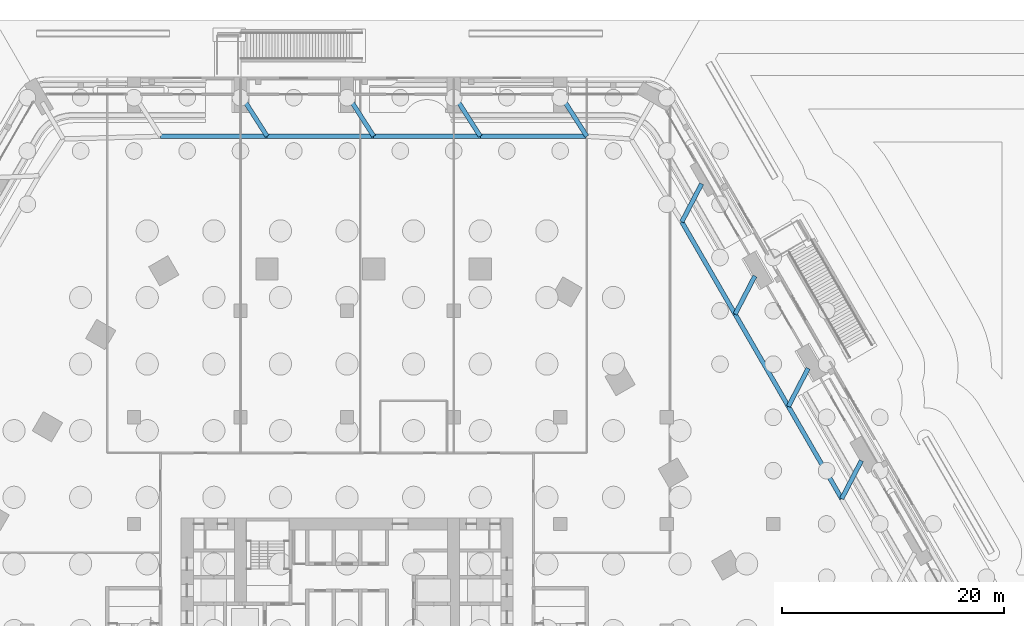
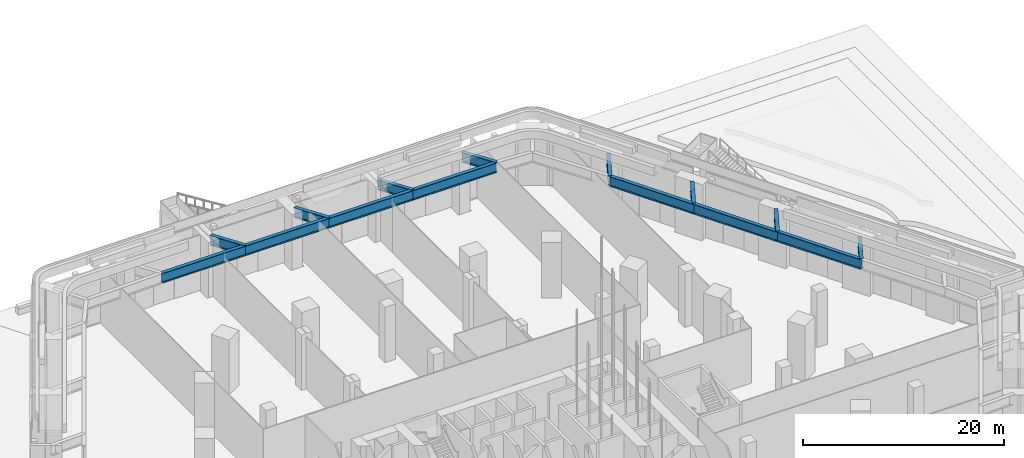
# One storey, part 8 of 68: 15 beams.
"""IFC4 building model written with IfcOpenShell, lengths in metres."""

from ifc_helpers import new_model, si_unit, direction, frame, origin, origin_2d, place, context, subcontext, project, spatial, i_section, extrude, material, material_profile, profile_set, type_object, element, save


model = new_model("IFC4")

# Units and contexts
model_context = context("Model", 3, precision=1e-05, world=origin(), true_north=direction((0.0, 1.0)))
body_context = subcontext(model_context, "Body", "Model", "MODEL_VIEW")
ifc_project = project(units=[si_unit("LENGTHUNIT", "METRE"), si_unit("AREAUNIT", "SQUARE_METRE"), si_unit("VOLUMEUNIT", "CUBIC_METRE"), si_unit("PLANEANGLEUNIT", "RADIAN"), si_unit("MASSUNIT", "GRAM", prefix="KILO")], contexts=[model_context])

# Site, building, storey
site_placement = place(None, origin())
site = spatial("IfcSite", under=ifc_project, at=site_placement, CompositionType="ELEMENT")
building_placement = place(site_placement, origin())
building = spatial("IfcBuilding", under=site, at=building_placement, Name="Kolab Exchange Tower", CompositionType="ELEMENT")
storey_placement = place(building_placement, origin())
storey = spatial("IfcBuildingStorey", under=building, at=storey_placement, Name="L00", CompositionType="ELEMENT", Elevation=0.0)

# Beams
ifc_material = material(Name="Steel S355", Category="steel")
ifc_material_profile = material_profile(ifc_material, i_section(OverallWidth=0.39990234375, OverallDepth=1.199951171875, WebThickness=0.02490234375, FlangeThickness=0.0400390625, at=origin_2d()), Name="PG1200X400")
ifc_profile_set = profile_set([ifc_material_profile], Name="Steel S355")
beam_type = type_object("IfcBeamType", Name="TRANSFER GIRDER PG1200X400", PredefinedType="BEAM", material=ifc_profile_set)
for number, where, z_axis, x_axis, name in (
    (1, (-7.199951171875, 44.526123046875, 6.10009765625), (-0.538369356879, 0.84270898629, 0.0), (-0.84270898629, -0.538369356879, 0.0), "beam/L00/tg/P1-F1-05"),
    (2, (2.39990234375, 44.526123046875, 6.10009765625), (-0.538324533078, 0.842737620548, 0.0), (-0.842737620548, -0.538324533078, 0.0), "beam/L00/tg/P1-F1-07"),
    (3, (12.0, 44.526123046875, 6.10009765625), (-0.538369356879, 0.84270898629, 0.0), (-0.84270898629, -0.538369356879, 0.0), "beam/L00/tg/P1-F1-09"),
    (4, (21.60009765625, 44.526123046875, 6.10009765625), (-0.538369356879, 0.84270898629, 0.0), (-0.84270898629, -0.538369356879, 0.0), "beam/L00/tg/P1-F1-11"),
    (5, (30.160888671875, 36.812255859375, 6.10009765625), (0.460619274945, 0.887597816327, 0.0), (-0.887597816327, 0.460619274945, 0.0), "beam/L00/tg/P1-F2-03"),
):
    element("IfcBeam", number, at=place(storey_placement, frame(where, z_axis=z_axis, x_axis=x_axis)), inside=storey, type_object=beam_type, Name=name, PredefinedType="BEAM", context=body_context, shape_type="SweptSolid", body=[
        extrude(i_section(OverallWidth=0.39990234375, OverallDepth=1.199951171875, WebThickness=0.02490234375, FlangeThickness=0.0400390625, at=origin_2d()), origin(), (0.0, 0.0, 1.0), 3.8681640625),
    ])
beam_1_placement = place(storey_placement, frame((34.960693359375, 28.49853515625, 6.10009765625), z_axis=(0.460694804411, 0.887558616199, 0.0), x_axis=(-0.887558616199, 0.460694804411, 0.0)))
element("IfcBeam", 6, at=beam_1_placement, inside=storey, type_object=beam_type, Name="beam/L00/tg/P1-F2-05", PredefinedType="BEAM", context=body_context, shape_type="SweptSolid", body=[
    extrude(i_section(OverallWidth=0.39990234375, OverallDepth=1.199951171875, WebThickness=0.02490234375, FlangeThickness=0.0400390625, at=origin_2d()), origin(), (0.0, 0.0, 1.0), 3.867919921875),
])
beam_2_placement = place(storey_placement, frame((39.7607421875, 20.1845703125, 6.10009765625), z_axis=(0.460619274945, 0.887597816327, 0.0), x_axis=(-0.887597816327, 0.460619274945, 0.0)))
element("IfcBeam", 7, at=beam_2_placement, inside=storey, type_object=beam_type, Name="beam/L00/tg/P1-F2-07", PredefinedType="BEAM", context=body_context, shape_type="SweptSolid", body=[
    extrude(i_section(OverallWidth=0.39990234375, OverallDepth=1.199951171875, WebThickness=0.02490234375, FlangeThickness=0.0400390625, at=origin_2d()), origin(), (0.0, 0.0, 1.0), 3.8681640625),
])
beam_3_placement = place(storey_placement, frame((44.560791015625, 11.870849609375, 6.10009765625), z_axis=(0.460645080764, 0.88758442391, 0.0), x_axis=(-0.88758442391, 0.460645080764, 0.0)))
element("IfcBeam", 8, at=beam_3_placement, inside=storey, type_object=beam_type, Name="beam/L00/tg/P1-F2-09", PredefinedType="BEAM", context=body_context, shape_type="SweptSolid", body=[
    extrude(i_section(OverallWidth=0.39990234375, OverallDepth=1.199951171875, WebThickness=0.02490234375, FlangeThickness=0.0400390625, at=origin_2d()), origin(), (0.0, 0.0, 1.0), 3.867919921875),
])
beam_4_placement = place(storey_placement, frame((-16.800048828125, 44.526123046875, 6.10009765625), z_axis=(1.0, 0.0, 0.0), x_axis=(0.0, 1.0, 0.0)))
element("IfcBeam", 9, at=beam_4_placement, inside=storey, type_object=beam_type, Name="beam/L00/rg/P1-F1-03", PredefinedType="BEAM", context=body_context, shape_type="SweptSolid", body=[
    extrude(i_section(OverallWidth=0.39990234375, OverallDepth=1.199951171875, WebThickness=0.02490234375, FlangeThickness=0.0400390625, at=origin_2d()), origin(), (0.0, 0.0, 1.0), 9.60009765625),
])
beam_5_placement = place(storey_placement, frame((-7.199951171875, 44.526123046875, 6.10009765625), z_axis=(1.0, 0.0, 0.0), x_axis=(0.0, 1.0, 0.0)))
element("IfcBeam", 10, at=beam_5_placement, inside=storey, type_object=beam_type, Name="beam/L00/rg/P1-F1-05", PredefinedType="BEAM", context=body_context, shape_type="SweptSolid", body=[
    extrude(i_section(OverallWidth=0.39990234375, OverallDepth=1.199951171875, WebThickness=0.02490234375, FlangeThickness=0.0400390625, at=origin_2d()), origin(), (0.0, 0.0, 1.0), 9.599853515625),
])
for number, where, z_axis, x_axis, name in (
    (11, (2.39990234375, 44.526123046875, 6.10009765625), (1.0, 0.0, 0.0), (0.0, 1.0, 0.0), "beam/L00/rg/P1-F1-07"),
    (12, (12.0, 44.526123046875, 6.10009765625), (1.0, 0.0, 0.0), (0.0, 1.0, 0.0), "beam/L00/rg/P1-F1-09"),
):
    element("IfcBeam", number, at=place(storey_placement, frame(where, z_axis=z_axis, x_axis=x_axis)), inside=storey, type_object=beam_type, Name=name, PredefinedType="BEAM", context=body_context, shape_type="SweptSolid", body=[
        extrude(i_section(OverallWidth=0.39990234375, OverallDepth=1.199951171875, WebThickness=0.02490234375, FlangeThickness=0.0400390625, at=origin_2d()), origin(), (0.0, 0.0, 1.0), 9.60009765625),
    ])
beam_6_placement = place(storey_placement, frame((30.160888671875, 36.812255859375, 6.10009765625), z_axis=(0.499990296761, -0.86603100588, 0.0), x_axis=(0.86603100588, 0.499990296761, 0.0)))
element("IfcBeam", 13, at=beam_6_placement, inside=storey, type_object=beam_type, Name="beam/L00/rg/P1-F2-03", PredefinedType="BEAM", context=body_context, shape_type="SweptSolid", body=[
    extrude(i_section(OverallWidth=0.39990234375, OverallDepth=1.199951171875, WebThickness=0.02490234375, FlangeThickness=0.0400390625, at=origin_2d()), origin(), (0.0, 0.0, 1.0), 9.599853515625),
])
beam_7_placement = place(storey_placement, frame((34.960693359375, 28.49853515625, 6.10009765625), z_axis=(0.499998358424, -0.866026351547, 0.0), x_axis=(0.866026351547, 0.499998358424, 0.0)))
element("IfcBeam", 14, at=beam_7_placement, inside=storey, type_object=beam_type, Name="beam/L00/rg/P1-F2-05", PredefinedType="BEAM", context=body_context, shape_type="SweptSolid", body=[
    extrude(i_section(OverallWidth=0.39990234375, OverallDepth=1.199951171875, WebThickness=0.02490234375, FlangeThickness=0.0400390625, at=origin_2d()), origin(), (0.0, 0.0, 1.0), 9.60009765625),
])
beam_8_placement = place(storey_placement, frame((39.7607421875, 20.1845703125, 6.10009765625), z_axis=(0.500009370536, -0.866019993635, 0.0), x_axis=(0.866019993635, 0.500009370536, 0.0)))
element("IfcBeam", 15, at=beam_8_placement, inside=storey, type_object=beam_type, Name="beam/L00/rg/P1-F2-07", PredefinedType="BEAM", context=body_context, shape_type="SweptSolid", body=[
    extrude(i_section(OverallWidth=0.39990234375, OverallDepth=1.199951171875, WebThickness=0.02490234375, FlangeThickness=0.0400390625, at=origin_2d()), origin(), (0.0, 0.0, 1.0), 9.599853515625),
])

save(model, "model.ifc")
